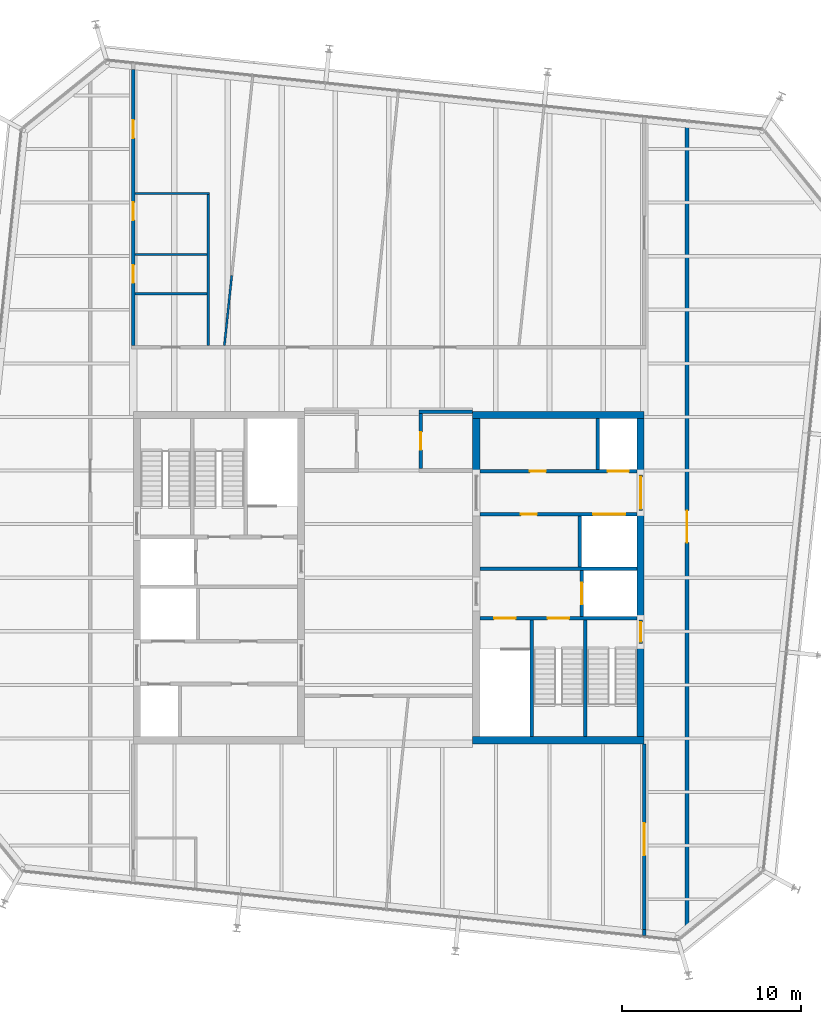
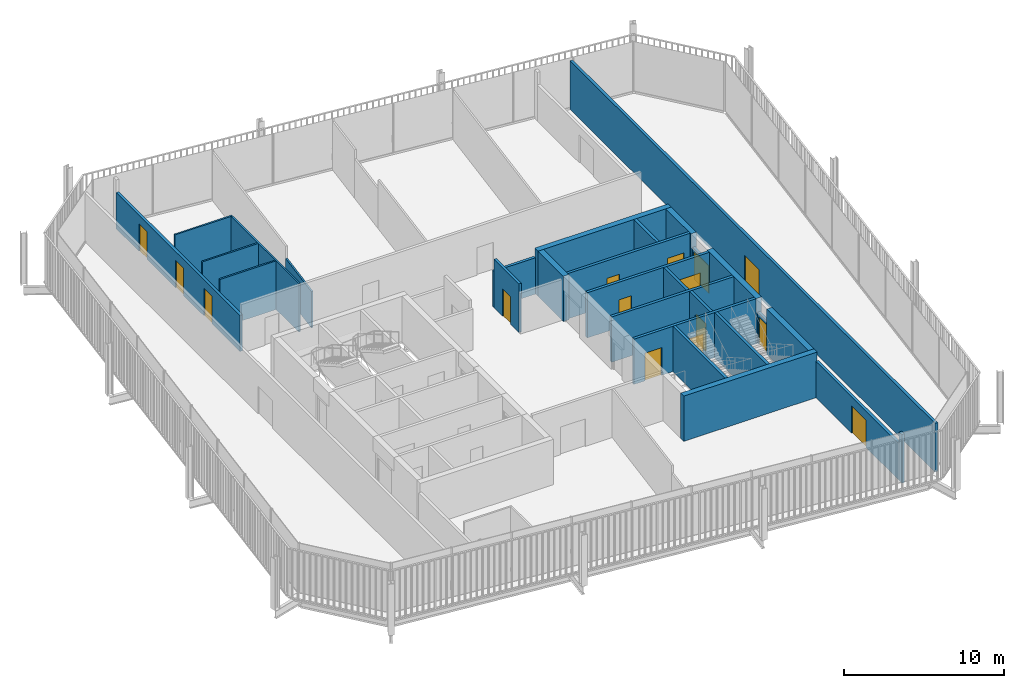
# One storey, part 17 of 19: 28 walls, 15 doors, 15 openings.
"""IFC4 building model written with IfcOpenShell, lengths in metres."""

from ifc_helpers import new_model, si_unit, direction, frame, frame_2d, origin, place, context, subcontext, project, spatial, rectangle, extrude, material, layer, layer_set, type_object, element, fill, save


model = new_model("IFC4")

# Units and contexts
model_context = context("Model", 3, precision=1e-05, world=origin(), true_north=direction((0.0, 1.0)))
body_context = subcontext(model_context, "Body", "Model", "MODEL_VIEW")
ifc_project = project(units=[si_unit("LENGTHUNIT", "METRE"), si_unit("AREAUNIT", "SQUARE_METRE"), si_unit("VOLUMEUNIT", "CUBIC_METRE"), si_unit("PLANEANGLEUNIT", "RADIAN"), si_unit("MASSUNIT", "GRAM", prefix="KILO")], contexts=[model_context])

# Site, building, storey
site_placement = place(None, origin())
site = spatial("IfcSite", under=ifc_project, at=site_placement, CompositionType="ELEMENT")
building_placement = place(site_placement, origin())
building = spatial("IfcBuilding", under=site, at=building_placement, Name="Millrace Tower", CompositionType="ELEMENT")
storey_placement = place(building_placement, frame((0.0, 0.0, 338.199951171875)))
storey = spatial("IfcBuildingStorey", under=building, at=storey_placement, Name="L78", CompositionType="ELEMENT", Elevation=338.199951171875)

# Walls
ifc_material_1 = material(Name="Concrete C60", Category="concrete")
ifc_layer_1 = layer(ifc_material_1, 0.39990234375)
ifc_layer_set_1 = layer_set([ifc_layer_1], Name="Concrete C60")
wall_type_1 = type_object("IfcWallType", Name="Core wall 400 Concrete C60", PredefinedType="SHEAR", material=ifc_layer_set_1)
for number, where, z_axis, x_axis, name in (
    (1, (14.300048828125, 9.10009765625, 0.0), (0.0, 0.0, 1.0), (-1.0, 0.0, 0.0), "Core wall E L78"),
    (2, (14.300048828125, -9.10009765625, 0.0), (0.0, 0.0, 1.0), (-1.0, 0.0, 0.0), "Core wall E L78"),
):
    element("IfcWall", number, at=place(storey_placement, frame(where, z_axis=z_axis, x_axis=x_axis)), inside=storey, type_object=wall_type_1, Name=name, PredefinedType="SHEAR", context=body_context, shape_type="SweptSolid", body=[
        extrude(rectangle(XDim=9.60009765625, YDim=0.39990234375, at=frame_2d((4.800048828125, 0.0))), origin(), (0.0, 0.0, 1.0), 3.449951171875),
    ])
wall_1_placement = place(storey_placement, frame((14.10009765625, 8.89990234375, 0.0), z_axis=(0.0, 0.0, 1.0), x_axis=(0.0, -1.0, 0.0)))
element("IfcWall", 3, at=wall_1_placement, inside=storey, type_object=wall_type_1, Name="Core wall E L78", PredefinedType="SHEAR", context=body_context, shape_type="SweptSolid", body=[
    extrude(rectangle(XDim=3.14990234375, YDim=0.39990234375, at=frame_2d((1.574951171875, 0.0))), origin(), (0.0, 0.0, 1.0), 3.449951171875),
])
wall_2_placement = place(storey_placement, frame((14.10009765625, 3.75, 0.0), z_axis=(0.0, 0.0, 1.0), x_axis=(0.0, -1.0, 0.0)))
element("IfcWall", 4, at=wall_2_placement, inside=storey, type_object=wall_type_1, Name="Core wall E L78", PredefinedType="SHEAR", context=body_context, shape_type="SweptSolid", body=[
    extrude(rectangle(XDim=6.1298828125, YDim=0.39990234375, at=frame_2d((3.06494140625, 0.0))), origin(), (0.0, 0.0, 1.0), 3.449951171875),
])
wall_3_placement = place(storey_placement, frame((14.10009765625, -3.679931640625, 0.0), z_axis=(0.0, 0.0, 1.0), x_axis=(0.0, -1.0, 0.0)))
element("IfcWall", 5, at=wall_3_placement, inside=storey, type_object=wall_type_1, Name="Core wall E L78", PredefinedType="SHEAR", context=body_context, shape_type="SweptSolid", body=[
    extrude(rectangle(XDim=5.219970703125, YDim=0.39990234375, at=frame_2d((2.60986328125, 0.0))), origin(), (0.0, 0.0, 1.0), 3.449951171875),
])
wall_4_placement = place(storey_placement, frame((4.89990234375, 8.89990234375, 0.0), z_axis=(0.0, 0.0, 1.0), x_axis=(0.0, -1.0, 0.0)))
element("IfcWall", 6, at=wall_4_placement, inside=storey, type_object=wall_type_1, Name="Core wall E L78", PredefinedType="SHEAR", context=body_context, shape_type="SweptSolid", body=[
    extrude(rectangle(XDim=3.14990234375, YDim=0.39990234375, at=frame_2d((1.574951171875, 0.0))), origin(), (0.0, 0.0, 1.0), 3.449951171875),
])
ifc_material_2 = material(Name="Masonry partition, fire-rated", Category="masonry")
ifc_layer_2 = layer(ifc_material_2, 0.199951171875)
ifc_layer_set_2 = layer_set([ifc_layer_2], Name="Masonry partition, fire-rated")
wall_type_2 = type_object("IfcWallType", Name="Corridor wall 200", PredefinedType="PARTITIONING", material=ifc_layer_set_2)
wall_5_placement = place(storey_placement, frame((1.699951171875, 9.300048828125, 0.0), z_axis=(0.0, 0.0, 1.0), x_axis=(1.0, 0.0, 0.0)))
element("IfcWall", 7, at=wall_5_placement, inside=storey, type_object=wall_type_2, Name="Corridor wall L78", PredefinedType="PARTITIONING", context=body_context, shape_type="SweptSolid", body=[
    extrude(rectangle(XDim=3.0, YDim=0.199951171875, at=frame_2d((1.5, 0.0))), origin(), (0.0, 0.0, 1.0), 2.77294921875),
])

# Wall, opening, door
wall_6_placement = place(storey_placement, frame((16.699951171875, -20.01416015625, 0.0), z_axis=(0.0, 0.0, 1.0), x_axis=(0.0, 1.0, 0.0)))
wall_6 = element("IfcWall", 8, at=wall_6_placement, inside=storey, type_object=wall_type_2, Name="Corridor wall L78", PredefinedType="PARTITIONING", context=body_context, shape_type="SweptSolid", body=[
    extrude(rectangle(XDim=45.535400390625, YDim=0.199951171875, at=frame_2d((22.767578125, 0.0))), origin(), (0.0, 0.0, 1.0), 3.699951171875),
])
opening_1_placement = place(wall_6_placement, frame((21.974609375, 0.0, 0.0)))
opening_1 = element("IfcOpeningElement", 9, at=opening_1_placement, cuts=wall_6, Name="Opening 78-P011", PredefinedType="OPENING", context=body_context, shape_type="SweptSolid", body=[
    extrude(rectangle(XDim=1.800048828125, YDim=2.10009765625, at=frame_2d((0.89990234375, 1.050048828125))), frame((0.0, 0.10986328125, 0.0), z_axis=(0.0, -1.0, 0.0), x_axis=(1.0, 0.0, 0.0)), (0.0, 0.0, 1.0), 0.219970703125),
])
ifc_material_3 = material(Name="Steel door set, fire-rated", Category="steel")
door_type_1 = type_object("IfcDoorType", Name="Corridor door 1800 x 2100", OperationType="DOUBLE_DOOR_SINGLE_SWING", PredefinedType="DOOR", material=ifc_material_3)
door_1_placement = place(opening_1_placement, origin())
door_1 = element("IfcDoor", 10, at=door_1_placement, inside=storey, type_object=door_type_1, Name="Door 78-P011", OperationType="DOUBLE_DOOR_SINGLE_SWING", OverallHeight=2.10009765625, OverallWidth=1.800048828125, PredefinedType="DOOR", context=body_context, shape_type="SweptSolid", body=[
    extrude(rectangle(XDim=1.800048828125, YDim=2.10009765625, at=frame_2d((0.89990234375, 1.050048828125))), frame((0.0, 0.02490234375, 0.0), z_axis=(0.0, -1.0, 0.0), x_axis=(1.0, 0.0, 0.0)), (0.0, 0.0, 1.0), 0.050048828125),
])
fill(opening_1, door_1)

# Wall
wall_7_placement = place(storey_placement, frame((14.300048828125, -20.037353515625, 0.0), z_axis=(0.0, 0.0, 1.0), x_axis=(0.0, 1.0, 0.0)))
element("IfcWall", 11, at=wall_7_placement, inside=storey, type_object=wall_type_2, Name="Corridor wall L78", PredefinedType="PARTITIONING", context=body_context, shape_type="SweptSolid", body=[
    extrude(rectangle(XDim=0.339111328125, YDim=0.199951171875, at=frame_2d((0.16943359375, 0.0))), origin(), (0.0, 0.0, 1.0), 3.699951171875),
])

# Wall, opening, door
wall_8_placement = place(storey_placement, frame((14.300048828125, -19.6982421875, 0.0), z_axis=(0.0, 0.0, 1.0), x_axis=(0.0, 1.0, 0.0)))
wall_8 = element("IfcWall", 12, at=wall_8_placement, inside=storey, type_object=wall_type_2, Name="Corridor wall L78", PredefinedType="PARTITIONING", context=body_context, shape_type="SweptSolid", body=[
    extrude(rectangle(XDim=10.398193359375, YDim=0.199951171875, at=frame_2d((5.19921875, 0.0))), origin(), (0.0, 0.0, 1.0), 2.77294921875),
])
opening_2_placement = place(wall_8_placement, frame((4.15478515625, 0.0, 0.0)))
opening_2 = element("IfcOpeningElement", 13, at=opening_2_placement, cuts=wall_8, Name="Opening 78-P014", PredefinedType="OPENING", context=body_context, shape_type="SweptSolid", body=[
    extrude(rectangle(XDim=1.800048828125, YDim=2.10009765625, at=frame_2d((0.89990234375, 1.050048828125))), frame((0.0, 0.10986328125, 0.0), z_axis=(0.0, -1.0, 0.0), x_axis=(1.0, 0.0, 0.0)), (0.0, 0.0, 1.0), 0.219970703125),
])
door_2_placement = place(opening_2_placement, origin())
door_2 = element("IfcDoor", 14, at=door_2_placement, inside=storey, type_object=door_type_1, Name="Door 78-P014", OperationType="DOUBLE_DOOR_SINGLE_SWING", OverallHeight=2.10009765625, OverallWidth=1.800048828125, PredefinedType="DOOR", context=body_context, shape_type="SweptSolid", body=[
    extrude(rectangle(XDim=1.800048828125, YDim=2.10009765625, at=frame_2d((0.89990234375, 1.050048828125))), frame((0.0, 0.02490234375, 0.0), z_axis=(0.0, -1.0, 0.0), x_axis=(1.0, 0.0, 0.0)), (0.0, 0.0, 1.0), 0.050048828125),
])
fill(opening_2, door_2)

wall_9_placement = place(storey_placement, frame((1.800048828125, 6.10009765625, 0.0), z_axis=(0.0, 0.0, 1.0), x_axis=(0.0, 1.0, 0.0)))
wall_9 = element("IfcWall", 15, at=wall_9_placement, inside=storey, type_object=wall_type_2, Name="Corridor wall L78", PredefinedType="PARTITIONING", context=body_context, shape_type="SweptSolid", body=[
    extrude(rectangle(XDim=3.099853515625, YDim=0.199951171875, at=frame_2d((1.5498046875, 0.0))), origin(), (0.0, 0.0, 1.0), 3.699951171875),
])
opening_3_placement = place(wall_9_placement, frame((1.050048828125, 0.0, 0.0)))
opening_3 = element("IfcOpeningElement", 16, at=opening_3_placement, cuts=wall_9, Name="Opening 78-P002", PredefinedType="OPENING", context=body_context, shape_type="SweptSolid", body=[
    extrude(rectangle(XDim=1.0, YDim=2.10009765625, at=frame_2d((0.5, 1.050048828125))), frame((0.0, 0.10986328125, 0.0), z_axis=(0.0, -1.0, 0.0), x_axis=(1.0, 0.0, 0.0)), (0.0, 0.0, 1.0), 0.219970703125),
])
ifc_material_4 = material(Name="Steel door set, fire-rated", Category="steel")
door_type_2 = type_object("IfcDoorType", Name="Corridor door 1000 x 2100", OperationType="SINGLE_SWING_LEFT", PredefinedType="DOOR", material=ifc_material_4)
door_3_placement = place(opening_3_placement, frame((1.0, 0.0, 0.0), z_axis=(0.0, 0.0, 1.0), x_axis=(-1.0, 0.0, 0.0)))
door_3 = element("IfcDoor", 17, at=door_3_placement, inside=storey, type_object=door_type_2, Name="Door 78-P002", OperationType="SINGLE_SWING_LEFT", OverallHeight=2.10009765625, OverallWidth=1.0, PredefinedType="DOOR", context=body_context, shape_type="SweptSolid", body=[
    extrude(rectangle(XDim=1.0, YDim=2.10009765625, at=frame_2d((0.5, 1.050048828125))), frame((0.0, 0.02490234375, 0.0), z_axis=(0.0, -1.0, 0.0), x_axis=(1.0, 0.0, 0.0)), (0.0, 0.0, 1.0), 0.050048828125),
])
fill(opening_3, door_3)

# Wall, openings, doors
wall_10_placement = place(storey_placement, frame((-14.300048828125, 13.0, 0.0), z_axis=(0.0, 0.0, 1.0), x_axis=(0.0, 1.0, 0.0)))
wall_10 = element("IfcWall", 18, at=wall_10_placement, inside=storey, type_object=wall_type_2, Name="Corridor wall L78", PredefinedType="PARTITIONING", context=body_context, shape_type="SweptSolid", body=[
    extrude(rectangle(XDim=15.440185546875, YDim=0.199951171875, at=frame_2d((7.72021484375, 0.0))), origin(), (0.0, 0.0, 1.0), 2.752685546875),
])
opening_4_placement = place(wall_10_placement, frame((11.614501953125, 0.0, 0.0)))
opening_4 = element("IfcOpeningElement", 19, at=opening_4_placement, cuts=wall_10, Name="Opening 78-P004", PredefinedType="OPENING", context=body_context, shape_type="SweptSolid", body=[
    extrude(rectangle(XDim=1.0, YDim=2.10009765625, at=frame_2d((0.5, 1.050048828125))), frame((0.0, 0.10986328125, 0.0), z_axis=(0.0, -1.0, 0.0), x_axis=(1.0, 0.0, 0.0)), (0.0, 0.0, 1.0), 0.219970703125),
])
opening_5_placement = place(wall_10_placement, frame((3.5, 0.0, 0.0)))
opening_5 = element("IfcOpeningElement", 20, at=opening_5_placement, cuts=wall_10, Name="Opening 78-P006", PredefinedType="OPENING", context=body_context, shape_type="SweptSolid", body=[
    extrude(rectangle(XDim=1.0, YDim=2.10009765625, at=frame_2d((0.5, 1.050048828125))), frame((0.0, 0.10986328125, 0.0), z_axis=(0.0, -1.0, 0.0), x_axis=(1.0, 0.0, 0.0)), (0.0, 0.0, 1.0), 0.219970703125),
])
opening_6_placement = place(wall_10_placement, frame((7.010986328125, 0.0, 0.0)))
opening_6 = element("IfcOpeningElement", 21, at=opening_6_placement, cuts=wall_10, Name="Opening 78-P007", PredefinedType="OPENING", context=body_context, shape_type="SweptSolid", body=[
    extrude(rectangle(XDim=1.0, YDim=2.10009765625, at=frame_2d((0.5, 1.050048828125))), frame((0.0, 0.10986328125, 0.0), z_axis=(0.0, -1.0, 0.0), x_axis=(1.0, 0.0, 0.0)), (0.0, 0.0, 1.0), 0.219970703125),
])
door_4_placement = place(opening_4_placement, frame((1.0, 0.0, 0.0), z_axis=(0.0, 0.0, 1.0), x_axis=(-1.0, 0.0, 0.0)))
door_4 = element("IfcDoor", 22, at=door_4_placement, inside=storey, type_object=door_type_2, Name="Door 78-P004", OperationType="SINGLE_SWING_LEFT", OverallHeight=2.10009765625, OverallWidth=1.0, PredefinedType="DOOR", context=body_context, shape_type="SweptSolid", body=[
    extrude(rectangle(XDim=1.0, YDim=2.10009765625, at=frame_2d((0.5, 1.050048828125))), frame((0.0, 0.02490234375, 0.0), z_axis=(0.0, -1.0, 0.0), x_axis=(1.0, 0.0, 0.0)), (0.0, 0.0, 1.0), 0.050048828125),
])
fill(opening_4, door_4)
door_5_placement = place(opening_5_placement, frame((1.0, 0.0, 0.0), z_axis=(0.0, 0.0, 1.0), x_axis=(-1.0, 0.0, 0.0)))
door_5 = element("IfcDoor", 23, at=door_5_placement, inside=storey, type_object=door_type_2, Name="Door 78-P006", OperationType="SINGLE_SWING_RIGHT", OverallHeight=2.10009765625, OverallWidth=1.0, PredefinedType="DOOR", context=body_context, shape_type="SweptSolid", body=[
    extrude(rectangle(XDim=1.0, YDim=2.10009765625, at=frame_2d((0.5, 1.050048828125))), frame((0.0, 0.02490234375, 0.0), z_axis=(0.0, -1.0, 0.0), x_axis=(1.0, 0.0, 0.0)), (0.0, 0.0, 1.0), 0.050048828125),
])
fill(opening_5, door_5)
door_6_placement = place(opening_6_placement, frame((1.0, 0.0, 0.0), z_axis=(0.0, 0.0, 1.0), x_axis=(-1.0, 0.0, 0.0)))
door_6 = element("IfcDoor", 24, at=door_6_placement, inside=storey, type_object=door_type_2, Name="Door 78-P007", OperationType="SINGLE_SWING_RIGHT", OverallHeight=2.10009765625, OverallWidth=1.0, PredefinedType="DOOR", context=body_context, shape_type="SweptSolid", body=[
    extrude(rectangle(XDim=1.0, YDim=2.10009765625, at=frame_2d((0.5, 1.050048828125))), frame((0.0, 0.02490234375, 0.0), z_axis=(0.0, -1.0, 0.0), x_axis=(1.0, 0.0, 0.0)), (0.0, 0.0, 1.0), 0.050048828125),
])
fill(opening_6, door_6)

ifc_material_5 = material(Name="Masonry partition, fire-rated", Category="masonry")
ifc_layer_3 = layer(ifc_material_5, 0.199951171875)
ifc_layer_set_3 = layer_set([ifc_layer_3], Name="Masonry partition, fire-rated")
wall_type_3 = type_object("IfcWallType", Name="Lift shaft wall 200", PredefinedType="PARTITIONING", material=ifc_layer_set_3)
wall_11_placement = place(storey_placement, frame((13.89990234375, 5.949951171875, 0.0), z_axis=(0.0, 0.0, 1.0), x_axis=(-1.0, 0.0, 0.0)))
wall_11 = element("IfcWall", 25, at=wall_11_placement, inside=storey, type_object=wall_type_3, Name="Lift shaft wall E L78", PredefinedType="PARTITIONING", context=body_context, shape_type="SweptSolid", body=[
    extrude(rectangle(XDim=8.7998046875, YDim=0.199951171875, at=frame_2d((4.39990234375, 0.0))), origin(), (0.0, 0.0, 1.0), 3.449951171875),
])
opening_7_placement = place(wall_11_placement, frame((0.449951171875, 0.0, 0.0)))
opening_7 = element("IfcOpeningElement", 26, at=opening_7_placement, cuts=wall_11, Name="Opening 78-LD09", PredefinedType="OPENING", context=body_context, shape_type="SweptSolid", body=[
    extrude(rectangle(XDim=1.199951171875, YDim=2.10009765625, at=frame_2d((0.60009765625, 1.050048828125))), frame((0.0, 0.10986328125, 0.0), z_axis=(0.0, -1.0, 0.0), x_axis=(1.0, 0.0, 0.0)), (0.0, 0.0, 1.0), 0.219970703125),
])
opening_8_placement = place(wall_11_placement, frame((5.10009765625, 0.0, 0.0)))
opening_8 = element("IfcOpeningElement", 27, at=opening_8_placement, cuts=wall_11, Name="Opening 78-C013", PredefinedType="OPENING", context=body_context, shape_type="SweptSolid", body=[
    extrude(rectangle(XDim=0.89990234375, YDim=2.10009765625, at=frame_2d((0.449951171875, 1.050048828125))), frame((0.0, 0.10986328125, 0.0), z_axis=(0.0, -1.0, 0.0), x_axis=(1.0, 0.0, 0.0)), (0.0, 0.0, 1.0), 0.219970703125),
])
ifc_material_6 = material(Name="Stainless steel, fire-rated", Category="steel")
door_type_3 = type_object("IfcDoorType", Name="Lift landing door 1200 x 2100", OperationType="DOUBLE_DOOR_SLIDING", PredefinedType="DOOR", material=ifc_material_6)
door_7_placement = place(opening_7_placement, origin())
door_7 = element("IfcDoor", 28, at=door_7_placement, inside=storey, type_object=door_type_3, Name="Lift landing door LF9 L78", OperationType="DOUBLE_DOOR_SLIDING", OverallHeight=2.10009765625, OverallWidth=1.199951171875, PredefinedType="DOOR", context=body_context, shape_type="SweptSolid", body=[
    extrude(rectangle(XDim=1.199951171875, YDim=2.10009765625, at=frame_2d((0.60009765625, 1.050048828125))), frame((0.0, 0.02490234375, 0.0), z_axis=(0.0, -1.0, 0.0), x_axis=(1.0, 0.0, 0.0)), (0.0, 0.0, 1.0), 0.050048828125),
])
fill(opening_7, door_7)
ifc_material_7 = material(Name="Steel door, fire-rated", Category="steel")
door_type_4 = type_object("IfcDoorType", Name="Service room door 900 x 2100", OperationType="SINGLE_SWING_LEFT", PredefinedType="DOOR", material=ifc_material_7)
door_8_placement = place(opening_8_placement, frame((0.89990234375, 0.0, 0.0), z_axis=(0.0, 0.0, 1.0), x_axis=(-1.0, 0.0, 0.0)))
door_8 = element("IfcDoor", 29, at=door_8_placement, inside=storey, type_object=door_type_4, Name="Service room door 78-C013", OperationType="SINGLE_SWING_LEFT", OverallHeight=2.10009765625, OverallWidth=0.89990234375, PredefinedType="DOOR", context=body_context, shape_type="SweptSolid", body=[
    extrude(rectangle(XDim=0.89990234375, YDim=2.10009765625, at=frame_2d((0.449951171875, 1.050048828125))), frame((0.0, 0.02490234375, 0.0), z_axis=(0.0, -1.0, 0.0), x_axis=(1.0, 0.0, 0.0)), (0.0, 0.0, 1.0), 0.050048828125),
])
fill(opening_8, door_8)

wall_12_placement = place(storey_placement, frame((13.89990234375, 3.550048828125, 0.0), z_axis=(0.0, 0.0, 1.0), x_axis=(-1.0, 0.0, 0.0)))
wall_12 = element("IfcWall", 30, at=wall_12_placement, inside=storey, type_object=wall_type_3, Name="Lift shaft wall E L78", PredefinedType="PARTITIONING", context=body_context, shape_type="SweptSolid", body=[
    extrude(rectangle(XDim=8.7998046875, YDim=0.199951171875, at=frame_2d((4.39990234375, 0.0))), origin(), (0.0, 0.0, 1.0), 3.449951171875),
])
opening_9_placement = place(wall_12_placement, frame((0.64990234375, 0.0, 0.0)))
opening_9 = element("IfcOpeningElement", 31, at=opening_9_placement, cuts=wall_12, Name="Opening 78-LD13", PredefinedType="OPENING", context=body_context, shape_type="SweptSolid", body=[
    extrude(rectangle(XDim=1.800048828125, YDim=2.10009765625, at=frame_2d((0.89990234375, 1.050048828125))), frame((0.0, 0.10986328125, 0.0), z_axis=(0.0, -1.0, 0.0), x_axis=(1.0, 0.0, 0.0)), (0.0, 0.0, 1.0), 0.219970703125),
])
opening_10_placement = place(wall_12_placement, frame((5.60009765625, 0.0, 0.0)))
opening_10 = element("IfcOpeningElement", 32, at=opening_10_placement, cuts=wall_12, Name="Opening 78-C014", PredefinedType="OPENING", context=body_context, shape_type="SweptSolid", body=[
    extrude(rectangle(XDim=0.89990234375, YDim=2.10009765625, at=frame_2d((0.449951171875, 1.050048828125))), frame((0.0, 0.10986328125, 0.0), z_axis=(0.0, -1.0, 0.0), x_axis=(1.0, 0.0, 0.0)), (0.0, 0.0, 1.0), 0.219970703125),
])
ifc_material_8 = material(Name="Stainless steel, fire-rated", Category="steel")
door_type_5 = type_object("IfcDoorType", Name="Lift landing door 1800 x 2100", OperationType="DOUBLE_DOOR_SLIDING", PredefinedType="DOOR", material=ifc_material_8)
door_9_placement = place(opening_9_placement, origin())
door_9 = element("IfcDoor", 33, at=door_9_placement, inside=storey, type_object=door_type_5, Name="Lift landing door LF13 L78", OperationType="DOUBLE_DOOR_SLIDING", OverallHeight=2.10009765625, OverallWidth=1.800048828125, PredefinedType="DOOR", context=body_context, shape_type="SweptSolid", body=[
    extrude(rectangle(XDim=1.800048828125, YDim=2.10009765625, at=frame_2d((0.89990234375, 1.050048828125))), frame((0.0, 0.02490234375, 0.0), z_axis=(0.0, -1.0, 0.0), x_axis=(1.0, 0.0, 0.0)), (0.0, 0.0, 1.0), 0.050048828125),
])
fill(opening_9, door_9)
door_10_placement = place(opening_10_placement, origin())
door_10 = element("IfcDoor", 34, at=door_10_placement, inside=storey, type_object=door_type_4, Name="Service room door 78-C014", OperationType="SINGLE_SWING_RIGHT", OverallHeight=2.10009765625, OverallWidth=0.89990234375, PredefinedType="DOOR", context=body_context, shape_type="SweptSolid", body=[
    extrude(rectangle(XDim=0.89990234375, YDim=2.10009765625, at=frame_2d((0.449951171875, 1.050048828125))), frame((0.0, 0.02490234375, 0.0), z_axis=(0.0, -1.0, 0.0), x_axis=(1.0, 0.0, 0.0)), (0.0, 0.0, 1.0), 0.050048828125),
])
fill(opening_10, door_10)

# Wall
wall_13_placement = place(storey_placement, frame((13.89990234375, 0.5, 0.0), z_axis=(0.0, 0.0, 1.0), x_axis=(-1.0, 0.0, 0.0)))
element("IfcWall", 35, at=wall_13_placement, inside=storey, type_object=wall_type_3, Name="Lift shaft wall E L78", PredefinedType="PARTITIONING", context=body_context, shape_type="SweptSolid", body=[
    extrude(rectangle(XDim=8.7998046875, YDim=0.199951171875, at=frame_2d((4.39990234375, 0.0))), origin(), (0.0, 0.0, 1.0), 3.449951171875),
])

# Wall, opening, door
wall_14_placement = place(storey_placement, frame((10.800048828125, 0.39990234375, 0.0), z_axis=(0.0, 0.0, 1.0), x_axis=(0.0, -1.0, 0.0)))
wall_14 = element("IfcWall", 36, at=wall_14_placement, inside=storey, type_object=wall_type_3, Name="Lift shaft wall E L78", PredefinedType="PARTITIONING", context=body_context, shape_type="SweptSolid", body=[
    extrude(rectangle(XDim=2.579833984375, YDim=0.199951171875, at=frame_2d((1.2900390625, 0.0))), origin(), (0.0, 0.0, 1.0), 3.449951171875),
])
opening_11_placement = place(wall_14_placement, frame((0.68994140625, 0.0, 0.0)))
opening_11 = element("IfcOpeningElement", 37, at=opening_11_placement, cuts=wall_14, Name="Opening 78-LD16", PredefinedType="OPENING", context=body_context, shape_type="SweptSolid", body=[
    extrude(rectangle(XDim=1.199951171875, YDim=2.10009765625, at=frame_2d((0.60009765625, 1.050048828125))), frame((0.0, 0.10986328125, 0.0), z_axis=(0.0, -1.0, 0.0), x_axis=(1.0, 0.0, 0.0)), (0.0, 0.0, 1.0), 0.219970703125),
])
door_11_placement = place(opening_11_placement, origin())
door_11 = element("IfcDoor", 38, at=door_11_placement, inside=storey, type_object=door_type_3, Name="Lift landing door LF16 L78", OperationType="DOUBLE_DOOR_SLIDING", OverallHeight=2.10009765625, OverallWidth=1.199951171875, PredefinedType="DOOR", context=body_context, shape_type="SweptSolid", body=[
    extrude(rectangle(XDim=1.199951171875, YDim=2.10009765625, at=frame_2d((0.60009765625, 1.050048828125))), frame((0.0, 0.02490234375, 0.0), z_axis=(0.0, -1.0, 0.0), x_axis=(1.0, 0.0, 0.0)), (0.0, 0.0, 1.0), 0.050048828125),
])
fill(opening_11, door_11)

# Walls
for number, where, z_axis, x_axis, name in (
    (39, (11.699951171875, 8.89990234375, 0.0), (0.0, 0.0, 1.0), (0.0, -1.0, 0.0), "Lift shaft wall E L78"),
    (40, (10.699951171875, 3.449951171875, 0.0), (0.0, 0.0, 1.0), (0.0, -1.0, 0.0), "Lift shaft wall E L78"),
):
    element("IfcWall", number, at=place(storey_placement, frame(where, z_axis=z_axis, x_axis=x_axis)), inside=storey, type_object=wall_type_3, Name=name, PredefinedType="PARTITIONING", context=body_context, shape_type="SweptSolid", body=[
        extrude(rectangle(XDim=2.849853515625, YDim=0.199951171875, at=frame_2d((1.4248046875, 0.0))), origin(), (0.0, 0.0, 1.0), 3.449951171875),
    ])

# Wall, opening, door
ifc_material_9 = material(Name="Masonry partition, fire-rated", Category="masonry")
ifc_layer_4 = layer(ifc_material_9, 0.199951171875)
ifc_layer_set_4 = layer_set([ifc_layer_4], Name="Masonry partition, fire-rated")
wall_type_4 = type_object("IfcWallType", Name="Lobby wall 200", PredefinedType="PARTITIONING", material=ifc_layer_set_4)
wall_15_placement = place(storey_placement, frame((14.10009765625, 5.75, 0.0), z_axis=(0.0, 0.0, 1.0), x_axis=(0.0, -1.0, 0.0)))
wall_15 = element("IfcWall", 41, at=wall_15_placement, inside=storey, type_object=wall_type_4, Name="Lobby wall E L78", PredefinedType="PARTITIONING", context=body_context, shape_type="SweptSolid", body=[
    extrude(rectangle(XDim=2.0, YDim=0.199951171875, at=frame_2d((1.0, 0.0))), origin(), (0.0, 0.0, 1.0), 2.400146484375),
])
opening_12_placement = place(wall_15_placement, frame((0.10009765625, 0.0, 0.0)))
opening_12 = element("IfcOpeningElement", 42, at=opening_12_placement, cuts=wall_15, Name="Opening 78-C009", PredefinedType="OPENING", context=body_context, shape_type="SweptSolid", body=[
    extrude(rectangle(XDim=1.800048828125, YDim=2.10009765625, at=frame_2d((0.89990234375, 1.050048828125))), frame((0.0, 0.10986328125, 0.0), z_axis=(0.0, -1.0, 0.0), x_axis=(1.0, 0.0, 0.0)), (0.0, 0.0, 1.0), 0.219970703125),
])
ifc_material_10 = material(Name="Steel door, fire-rated", Category="steel")
door_type_6 = type_object("IfcDoorType", Name="Lobby door 1800 x 2100", OperationType="DOUBLE_DOOR_SINGLE_SWING", PredefinedType="DOOR", material=ifc_material_10)
door_12_placement = place(opening_12_placement, origin())
door_12 = element("IfcDoor", 43, at=door_12_placement, inside=storey, type_object=door_type_6, Name="Lobby door 78-C009", OperationType="DOUBLE_DOOR_SINGLE_SWING", OverallHeight=2.10009765625, OverallWidth=1.800048828125, PredefinedType="DOOR", context=body_context, shape_type="SweptSolid", body=[
    extrude(rectangle(XDim=1.800048828125, YDim=2.10009765625, at=frame_2d((0.89990234375, 1.050048828125))), frame((0.0, 0.02490234375, 0.0), z_axis=(0.0, -1.0, 0.0), x_axis=(1.0, 0.0, 0.0)), (0.0, 0.0, 1.0), 0.050048828125),
])
fill(opening_12, door_12)

# Walls
ifc_material_11 = material(Name="Gypsum board partition")
ifc_layer_5 = layer(ifc_material_11, 0.1201171875)
ifc_layer_set_5 = layer_set([ifc_layer_5], Name="Gypsum board partition")
wall_type_5 = type_object("IfcWallType", Name="Partition wall 120", PredefinedType="PARTITIONING", material=ifc_layer_set_5)
for number, where, z_axis, x_axis, name in (
    (44, (-14.199951171875, 15.89990234375, 0.0), (0.0, 0.0, 1.0), (1.0, 0.0, 0.0), "Partition wall L78"),
    (45, (-14.199951171875, 18.10009765625, 0.0), (0.0, 0.0, 1.0), (1.0, 0.0, 0.0), "Partition wall L78"),
):
    element("IfcWall", number, at=place(storey_placement, frame(where, z_axis=z_axis, x_axis=x_axis)), inside=storey, type_object=wall_type_5, Name=name, PredefinedType="PARTITIONING", context=body_context, shape_type="SweptSolid", body=[
        extrude(rectangle(XDim=4.0400390625, YDim=0.1201171875, at=frame_2d((2.02001953125, 0.0))), origin(), (0.0, 0.0, 1.0), 3.699951171875),
    ])
wall_16_placement = place(storey_placement, frame((-14.199951171875, 21.5, 0.0), z_axis=(0.0, 0.0, 1.0), x_axis=(1.0, 0.0, 0.0)))
element("IfcWall", 46, at=wall_16_placement, inside=storey, type_object=wall_type_5, Name="Partition wall L78", PredefinedType="PARTITIONING", context=body_context, shape_type="SweptSolid", body=[
    extrude(rectangle(XDim=4.159912109375, YDim=0.1201171875, at=frame_2d((2.080078125, 0.0))), origin(), (0.0, 0.0, 1.0), 3.699951171875),
])
wall_17_placement = place(storey_placement, frame((-9.197509765625, 12.99951171875, 0.0), z_axis=(0.0, 0.0, 1.0), x_axis=(0.104532824039, 0.994521437023, 0.0)))
element("IfcWall", 47, at=wall_17_placement, inside=storey, type_object=wall_type_5, Name="Partition wall L78", PredefinedType="PARTITIONING", context=body_context, shape_type="SweptSolid", body=[
    extrude(rectangle(XDim=3.9306640625, YDim=0.1201171875, at=frame_2d((1.96533203125, 0.0))), origin(), (0.0, 0.0, 1.0), 2.77294921875),
])
wall_18_placement = place(storey_placement, frame((-10.10009765625, 13.0, 0.0), z_axis=(0.0, 0.0, 1.0), x_axis=(0.0, 1.0, 0.0)))
element("IfcWall", 48, at=wall_18_placement, inside=storey, type_object=wall_type_5, Name="Partition wall L78", PredefinedType="PARTITIONING", context=body_context, shape_type="SweptSolid", body=[
    extrude(rectangle(XDim=8.43994140625, YDim=0.1201171875, at=frame_2d((4.219970703125, 0.0))), origin(), (0.0, 0.0, 1.0), 3.699951171875),
])

# Wall, opening, door
ifc_material_12 = material(Name="Concrete C40", Category="concrete")
ifc_layer_6 = layer(ifc_material_12, 0.199951171875)
ifc_layer_set_6 = layer_set([ifc_layer_6], Name="Concrete C40")
wall_type_6 = type_object("IfcWallType", Name="Stair enclosure wall 200 Concrete C40", PredefinedType="SHEAR", material=ifc_layer_set_6)
wall_19_placement = place(storey_placement, frame((14.10009765625, -2.3798828125, 0.0), z_axis=(0.0, 0.0, 1.0), x_axis=(0.0, -1.0, 0.0)))
wall_19 = element("IfcWall", 49, at=wall_19_placement, inside=storey, type_object=wall_type_6, Name="Stair enclosure wall E L78", PredefinedType="SHEAR", context=body_context, shape_type="SweptSolid", body=[
    extrude(rectangle(XDim=1.300048828125, YDim=0.199951171875, at=frame_2d((0.64990234375, 0.0))), origin(), (0.0, 0.0, 1.0), 2.400146484375),
])
opening_13_placement = place(wall_19_placement, frame((0.10009765625, 0.0, 0.0)))
opening_13 = element("IfcOpeningElement", 50, at=opening_13_placement, cuts=wall_19, Name="Opening 78-C010", PredefinedType="OPENING", context=body_context, shape_type="SweptSolid", body=[
    extrude(rectangle(XDim=1.10009765625, YDim=2.10009765625, at=frame_2d((0.550048828125, 1.050048828125))), frame((0.0, 0.10986328125, 0.0), z_axis=(0.0, -1.0, 0.0), x_axis=(1.0, 0.0, 0.0)), (0.0, 0.0, 1.0), 0.219970703125),
])
ifc_material_13 = material(Name="Steel door, fire-rated", Category="steel")
door_type_7 = type_object("IfcDoorType", Name="Stair door 1100 x 2100", OperationType="SINGLE_SWING_LEFT", PredefinedType="DOOR", material=ifc_material_13)
door_13_placement = place(opening_13_placement, origin())
door_13 = element("IfcDoor", 51, at=door_13_placement, inside=storey, type_object=door_type_7, Name="Stair door 78-C010", OperationType="SINGLE_SWING_LEFT", OverallHeight=2.10009765625, OverallWidth=1.10009765625, PredefinedType="DOOR", context=body_context, shape_type="SweptSolid", body=[
    extrude(rectangle(XDim=1.10009765625, YDim=2.10009765625, at=frame_2d((0.550048828125, 1.050048828125))), frame((0.0, 0.02490234375, 0.0), z_axis=(0.0, -1.0, 0.0), x_axis=(1.0, 0.0, 0.0)), (0.0, 0.0, 1.0), 0.050048828125),
])
fill(opening_13, door_13)

# Wall, openings, doors
wall_20_placement = place(storey_placement, frame((13.89990234375, -2.280029296875, 0.0), z_axis=(0.0, 0.0, 1.0), x_axis=(-1.0, 0.0, 0.0)))
wall_20 = element("IfcWall", 52, at=wall_20_placement, inside=storey, type_object=wall_type_6, Name="Stair enclosure wall E L78", PredefinedType="SHEAR", context=body_context, shape_type="SweptSolid", body=[
    extrude(rectangle(XDim=8.7998046875, YDim=0.199951171875, at=frame_2d((4.39990234375, 0.0))), origin(), (0.0, 0.0, 1.0), 3.449951171875),
])
opening_14_placement = place(wall_20_placement, frame((3.800048828125, 0.0, 0.0)))
opening_14 = element("IfcOpeningElement", 53, at=opening_14_placement, cuts=wall_20, Name="Opening 78-C015", PredefinedType="OPENING", context=body_context, shape_type="SweptSolid", body=[
    extrude(rectangle(XDim=1.199951171875, YDim=2.10009765625, at=frame_2d((0.60009765625, 1.050048828125))), frame((0.0, 0.10986328125, 0.0), z_axis=(0.0, -1.0, 0.0), x_axis=(1.0, 0.0, 0.0)), (0.0, 0.0, 1.0), 0.219970703125),
])
opening_15_placement = place(wall_20_placement, frame((6.800048828125, 0.0, 0.0)))
opening_15 = element("IfcOpeningElement", 54, at=opening_15_placement, cuts=wall_20, Name="Opening 78-C016", PredefinedType="OPENING", context=body_context, shape_type="SweptSolid", body=[
    extrude(rectangle(XDim=1.199951171875, YDim=2.10009765625, at=frame_2d((0.60009765625, 1.050048828125))), frame((0.0, 0.10986328125, 0.0), z_axis=(0.0, -1.0, 0.0), x_axis=(1.0, 0.0, 0.0)), (0.0, 0.0, 1.0), 0.219970703125),
])
ifc_material_14 = material(Name="Steel door, fire-rated", Category="steel")
door_type_8 = type_object("IfcDoorType", Name="Stair door 1200 x 2100", OperationType="SINGLE_SWING_LEFT", PredefinedType="DOOR", material=ifc_material_14)
door_14_placement = place(opening_14_placement, frame((1.199951171875, 0.0, 0.0), z_axis=(0.0, 0.0, 1.0), x_axis=(-1.0, 0.0, 0.0)))
door_14 = element("IfcDoor", 55, at=door_14_placement, inside=storey, type_object=door_type_8, Name="Stair door 78-C015", OperationType="SINGLE_SWING_RIGHT", OverallHeight=2.10009765625, OverallWidth=1.199951171875, PredefinedType="DOOR", context=body_context, shape_type="SweptSolid", body=[
    extrude(rectangle(XDim=1.199951171875, YDim=2.10009765625, at=frame_2d((0.60009765625, 1.050048828125))), frame((0.0, 0.02490234375, 0.0), z_axis=(0.0, -1.0, 0.0), x_axis=(1.0, 0.0, 0.0)), (0.0, 0.0, 1.0), 0.050048828125),
])
fill(opening_14, door_14)
door_15_placement = place(opening_15_placement, frame((1.199951171875, 0.0, 0.0), z_axis=(0.0, 0.0, 1.0), x_axis=(-1.0, 0.0, 0.0)))
door_15 = element("IfcDoor", 56, at=door_15_placement, inside=storey, type_object=door_type_8, Name="Stair door 78-C016", OperationType="SINGLE_SWING_LEFT", OverallHeight=2.10009765625, OverallWidth=1.199951171875, PredefinedType="DOOR", context=body_context, shape_type="SweptSolid", body=[
    extrude(rectangle(XDim=1.199951171875, YDim=2.10009765625, at=frame_2d((0.60009765625, 1.050048828125))), frame((0.0, 0.02490234375, 0.0), z_axis=(0.0, -1.0, 0.0), x_axis=(1.0, 0.0, 0.0)), (0.0, 0.0, 1.0), 0.050048828125),
])
fill(opening_15, door_15)

# Walls
for number, where, z_axis, x_axis, name in (
    (57, (11.0, -2.3798828125, 0.0), (0.0, 0.0, 1.0), (0.0, -1.0, 0.0), "Stair enclosure wall E L78"),
    (58, (8.0, -2.3798828125, 0.0), (0.0, 0.0, 1.0), (0.0, -1.0, 0.0), "Stair enclosure wall E L78"),
):
    element("IfcWall", number, at=place(storey_placement, frame(where, z_axis=z_axis, x_axis=x_axis)), inside=storey, type_object=wall_type_6, Name=name, PredefinedType="SHEAR", context=body_context, shape_type="SweptSolid", body=[
        extrude(rectangle(XDim=6.52001953125, YDim=0.199951171875, at=frame_2d((3.260009765625, 0.0))), origin(), (0.0, 0.0, 1.0), 3.449951171875),
    ])

save(model, "model.ifc")
